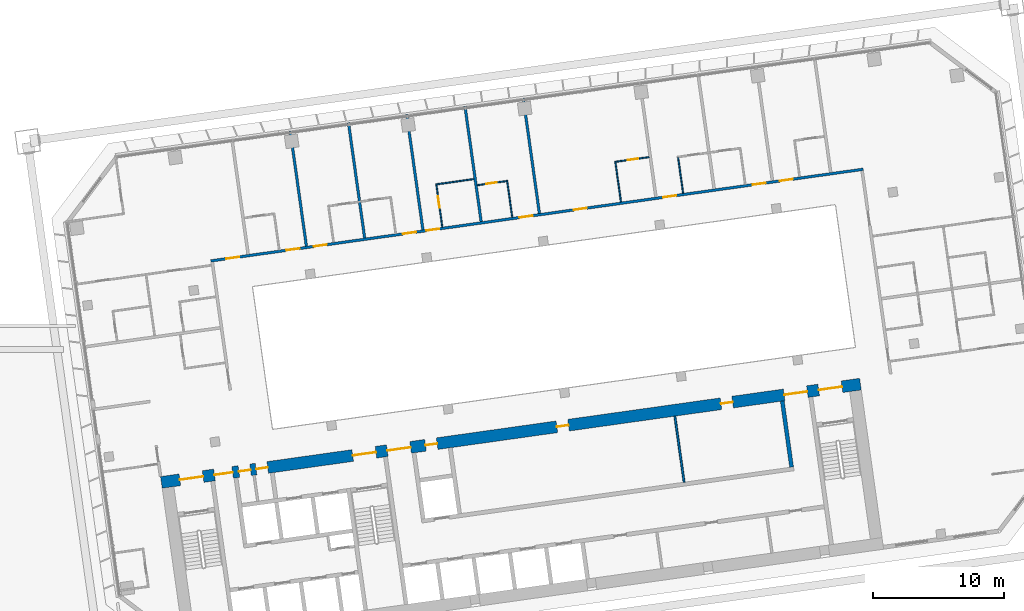
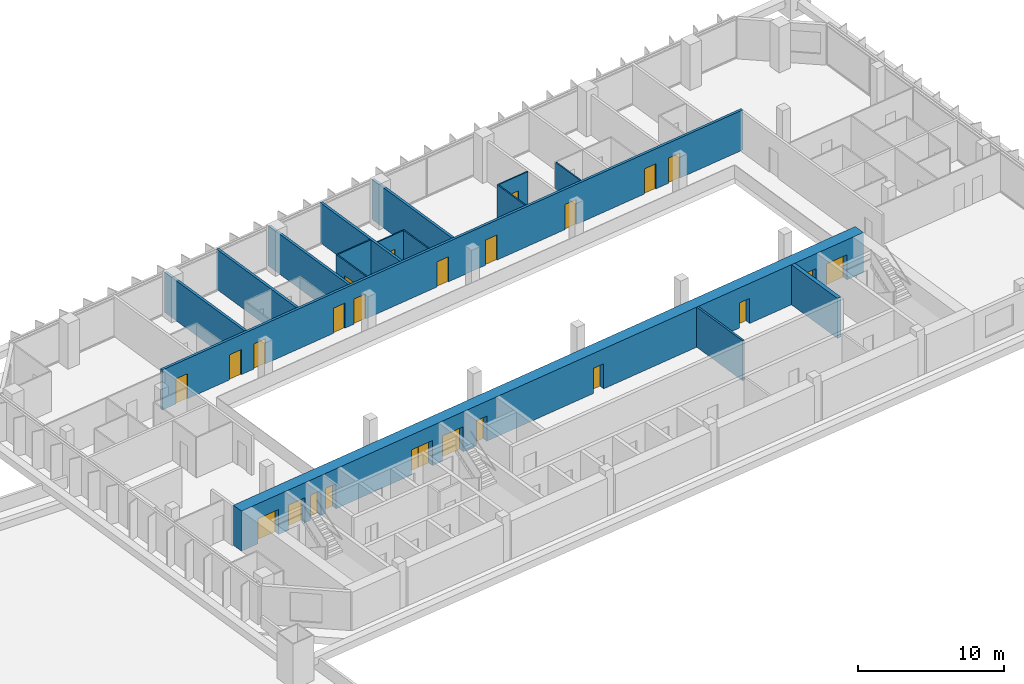
# One storey, part 35 of 46: 24 doors, 16 walls, 24 openings.
"""IFC4 building model written with IfcOpenShell, lengths in metres."""

from ifc_helpers import new_model, si_unit, direction, frame, frame_2d, origin, place, context, subcontext, project, spatial, rectangle, extrude, material, layer, layer_set, type_object, element, fill, save


model = new_model("IFC4")

# Units and contexts
model_context = context("Model", 3, precision=1e-05, world=origin(), true_north=direction((0.0, 1.0)))
body_context = subcontext(model_context, "Body", "Model", "MODEL_VIEW")
ifc_project = project(units=[si_unit("LENGTHUNIT", "METRE"), si_unit("AREAUNIT", "SQUARE_METRE"), si_unit("VOLUMEUNIT", "CUBIC_METRE"), si_unit("PLANEANGLEUNIT", "RADIAN"), si_unit("MASSUNIT", "GRAM", prefix="KILO")], contexts=[model_context])

# Site, building, storey
site_placement = place(None, origin())
site = spatial("IfcSite", under=ifc_project, at=site_placement, CompositionType="ELEMENT")
building_placement = place(site_placement, origin())
building = spatial("IfcBuilding", under=site, at=building_placement, Name="Mirante Cascada Hotel Towers", CompositionType="ELEMENT")
storey_placement = place(building_placement, frame((0.0, 0.0, 39.5)))
storey = spatial("IfcBuildingStorey", under=building, at=storey_placement, Name="L06", CompositionType="ELEMENT", Elevation=39.5)

# Wall, openings, doors
ifc_material_1 = material(Name="Fire-rated plasterboard on metal studs")
ifc_layer_1 = layer(ifc_material_1, 0.2)
ifc_layer_set_1 = layer_set([ifc_layer_1], Name="Compartment wall 200 EI 120")
wall_type_1 = type_object("IfcWallType", Name="Compartment wall 200 EI 120", PredefinedType="PARTITIONING", material=ifc_layer_set_1)
wall_1_placement = place(storey_placement, frame((89.0146, 16.3922, 0.0), z_axis=(0.0, 0.0, 1.0), x_axis=(-0.9902681, -0.1391727, 0.0)))
wall_1 = element("IfcWall", 1, at=wall_1_placement, inside=storey, type_object=wall_type_1, Name="Wall 2-L06-18", PredefinedType="PARTITIONING", context=body_context, shape_type="SweptSolid", body=[
    extrude(rectangle(XDim=50.4, YDim=0.2, at=frame_2d((25.2, 0.0))), origin(), (0.0, 0.0, 1.0), 3.35),
])
opening_1_placement = place(wall_1_placement, frame((48.2, 0.0, 0.0)))
opening_1 = element("IfcOpeningElement", 2, at=opening_1_placement, cuts=wall_1, Name="Opening D2-L06-09", PredefinedType="OPENING", context=body_context, shape_type="SweptSolid", body=[
    extrude(rectangle(XDim=1.0, YDim=2.1, at=frame_2d((0.5, 1.05))), frame((0.0, 0.1, 0.0), z_axis=(0.0, -1.0, 0.0), x_axis=(1.0, 0.0, 0.0)), (0.0, 0.0, 1.0), 0.2),
])
opening_2_placement = place(wall_1_placement, frame((43.55, 0.0, 0.0)))
opening_2 = element("IfcOpeningElement", 3, at=opening_2_placement, cuts=wall_1, Name="Opening D2-L06-10", PredefinedType="OPENING", context=body_context, shape_type="SweptSolid", body=[
    extrude(rectangle(XDim=1.0, YDim=2.1, at=frame_2d((0.5, 1.05))), frame((0.0, 0.1, 0.0), z_axis=(0.0, -1.0, 0.0), x_axis=(1.0, 0.0, 0.0)), (0.0, 0.0, 1.0), 0.2),
])
opening_3_placement = place(wall_1_placement, frame((41.45, 0.0, 0.0)))
opening_3 = element("IfcOpeningElement", 4, at=opening_3_placement, cuts=wall_1, Name="Opening D2-L06-11", PredefinedType="OPENING", context=body_context, shape_type="SweptSolid", body=[
    extrude(rectangle(XDim=1.0, YDim=2.1, at=frame_2d((0.5, 1.05))), frame((0.0, 0.1, 0.0), z_axis=(0.0, -1.0, 0.0), x_axis=(1.0, 0.0, 0.0)), (0.0, 0.0, 1.0), 0.2),
])
opening_4_placement = place(wall_1_placement, frame((34.55, 0.0, 0.0)))
opening_4 = element("IfcOpeningElement", 5, at=opening_4_placement, cuts=wall_1, Name="Opening D2-L06-12", PredefinedType="OPENING", context=body_context, shape_type="SweptSolid", body=[
    extrude(rectangle(XDim=1.0, YDim=2.1, at=frame_2d((0.5, 1.05))), frame((0.0, 0.1, 0.0), z_axis=(0.0, -1.0, 0.0), x_axis=(1.0, 0.0, 0.0)), (0.0, 0.0, 1.0), 0.2),
])
opening_5_placement = place(wall_1_placement, frame((32.75, 0.0, 0.0)))
opening_5 = element("IfcOpeningElement", 6, at=opening_5_placement, cuts=wall_1, Name="Opening D2-L06-13", PredefinedType="OPENING", context=body_context, shape_type="SweptSolid", body=[
    extrude(rectangle(XDim=1.0, YDim=2.1, at=frame_2d((0.5, 1.05))), frame((0.0, 0.1, 0.0), z_axis=(0.0, -1.0, 0.0), x_axis=(1.0, 0.0, 0.0)), (0.0, 0.0, 1.0), 0.2),
])
opening_6_placement = place(wall_1_placement, frame((25.55, 0.0, 0.0)))
opening_6 = element("IfcOpeningElement", 7, at=opening_6_placement, cuts=wall_1, Name="Opening D2-L06-14", PredefinedType="OPENING", context=body_context, shape_type="SweptSolid", body=[
    extrude(rectangle(XDim=1.0, YDim=2.1, at=frame_2d((0.5, 1.05))), frame((0.0, 0.1, 0.0), z_axis=(0.0, -1.0, 0.0), x_axis=(1.0, 0.0, 0.0)), (0.0, 0.0, 1.0), 0.2),
])
opening_7_placement = place(wall_1_placement, frame((21.35, 0.0, 0.0)))
opening_7 = element("IfcOpeningElement", 8, at=opening_7_placement, cuts=wall_1, Name="Opening D2-L06-15", PredefinedType="OPENING", context=body_context, shape_type="SweptSolid", body=[
    extrude(rectangle(XDim=1.0, YDim=2.1, at=frame_2d((0.5, 1.05))), frame((0.0, 0.1, 0.0), z_axis=(0.0, -1.0, 0.0), x_axis=(1.0, 0.0, 0.0)), (0.0, 0.0, 1.0), 0.2),
])
opening_8_placement = place(wall_1_placement, frame((14.45, 0.0, 0.0)))
opening_8 = element("IfcOpeningElement", 9, at=opening_8_placement, cuts=wall_1, Name="Opening D2-L06-16", PredefinedType="OPENING", context=body_context, shape_type="SweptSolid", body=[
    extrude(rectangle(XDim=1.0, YDim=2.1, at=frame_2d((0.5, 1.05))), frame((0.0, 0.1, 0.0), z_axis=(0.0, -1.0, 0.0), x_axis=(1.0, 0.0, 0.0)), (0.0, 0.0, 1.0), 0.2),
])
opening_9_placement = place(wall_1_placement, frame((7.55, 0.0, 0.0)))
opening_9 = element("IfcOpeningElement", 10, at=opening_9_placement, cuts=wall_1, Name="Opening D2-L06-17", PredefinedType="OPENING", context=body_context, shape_type="SweptSolid", body=[
    extrude(rectangle(XDim=1.0, YDim=2.1, at=frame_2d((0.5, 1.05))), frame((0.0, 0.1, 0.0), z_axis=(0.0, -1.0, 0.0), x_axis=(1.0, 0.0, 0.0)), (0.0, 0.0, 1.0), 0.2),
])
opening_10_placement = place(wall_1_placement, frame((5.45, 0.0, 0.0)))
opening_10 = element("IfcOpeningElement", 11, at=opening_10_placement, cuts=wall_1, Name="Opening D2-L06-18", PredefinedType="OPENING", context=body_context, shape_type="SweptSolid", body=[
    extrude(rectangle(XDim=1.0, YDim=2.1, at=frame_2d((0.5, 1.05))), frame((0.0, 0.1, 0.0), z_axis=(0.0, -1.0, 0.0), x_axis=(1.0, 0.0, 0.0)), (0.0, 0.0, 1.0), 0.2),
])
ifc_material_2 = material(Name="Fire-rated timber door leaf", Category="wood")
door_type_1 = type_object("IfcDoorType", Name="Entrance door DG1 1000x2100 EI 60", OperationType="SINGLE_SWING_LEFT", PredefinedType="DOOR", material=ifc_material_2)
door_1_placement = place(opening_1_placement, frame((1.0, 0.0, 0.0), z_axis=(0.0, 0.0, 1.0), x_axis=(-1.0, 0.0, 0.0)))
door_1 = element("IfcDoor", 12, at=door_1_placement, inside=storey, type_object=door_type_1, Name="Door D2-L06-09", OperationType="SINGLE_SWING_RIGHT", OverallHeight=2.1, OverallWidth=1.0, PredefinedType="DOOR", context=body_context, shape_type="SweptSolid", body=[
    extrude(rectangle(XDim=1.0, YDim=2.1, at=frame_2d((0.5, 1.05))), frame((0.0, 0.025, 0.0), z_axis=(0.0, -1.0, 0.0), x_axis=(1.0, 0.0, 0.0)), (0.0, 0.0, 1.0), 0.05),
])
fill(opening_1, door_1)
door_2_placement = place(opening_2_placement, frame((1.0, 0.0, 0.0), z_axis=(0.0, 0.0, 1.0), x_axis=(-1.0, 0.0, 0.0)))
door_2 = element("IfcDoor", 13, at=door_2_placement, inside=storey, type_object=door_type_1, Name="Door D2-L06-10", OperationType="SINGLE_SWING_RIGHT", OverallHeight=2.1, OverallWidth=1.0, PredefinedType="DOOR", context=body_context, shape_type="SweptSolid", body=[
    extrude(rectangle(XDim=1.0, YDim=2.1, at=frame_2d((0.5, 1.05))), frame((0.0, 0.025, 0.0), z_axis=(0.0, -1.0, 0.0), x_axis=(1.0, 0.0, 0.0)), (0.0, 0.0, 1.0), 0.05),
])
fill(opening_2, door_2)
door_3_placement = place(opening_3_placement, frame((1.0, 0.0, 0.0), z_axis=(0.0, 0.0, 1.0), x_axis=(-1.0, 0.0, 0.0)))
door_3 = element("IfcDoor", 14, at=door_3_placement, inside=storey, type_object=door_type_1, Name="Door D2-L06-11", OperationType="SINGLE_SWING_RIGHT", OverallHeight=2.1, OverallWidth=1.0, PredefinedType="DOOR", context=body_context, shape_type="SweptSolid", body=[
    extrude(rectangle(XDim=1.0, YDim=2.1, at=frame_2d((0.5, 1.05))), frame((0.0, 0.025, 0.0), z_axis=(0.0, -1.0, 0.0), x_axis=(1.0, 0.0, 0.0)), (0.0, 0.0, 1.0), 0.05),
])
fill(opening_3, door_3)
door_4_placement = place(opening_4_placement, frame((1.0, 0.0, 0.0), z_axis=(0.0, 0.0, 1.0), x_axis=(-1.0, 0.0, 0.0)))
door_4 = element("IfcDoor", 15, at=door_4_placement, inside=storey, type_object=door_type_1, Name="Door D2-L06-12", OperationType="SINGLE_SWING_RIGHT", OverallHeight=2.1, OverallWidth=1.0, PredefinedType="DOOR", context=body_context, shape_type="SweptSolid", body=[
    extrude(rectangle(XDim=1.0, YDim=2.1, at=frame_2d((0.5, 1.05))), frame((0.0, 0.025, 0.0), z_axis=(0.0, -1.0, 0.0), x_axis=(1.0, 0.0, 0.0)), (0.0, 0.0, 1.0), 0.05),
])
fill(opening_4, door_4)
door_5_placement = place(opening_5_placement, frame((1.0, 0.0, 0.0), z_axis=(0.0, 0.0, 1.0), x_axis=(-1.0, 0.0, 0.0)))
door_5 = element("IfcDoor", 16, at=door_5_placement, inside=storey, type_object=door_type_1, Name="Door D2-L06-13", OperationType="SINGLE_SWING_RIGHT", OverallHeight=2.1, OverallWidth=1.0, PredefinedType="DOOR", context=body_context, shape_type="SweptSolid", body=[
    extrude(rectangle(XDim=1.0, YDim=2.1, at=frame_2d((0.5, 1.05))), frame((0.0, 0.025, 0.0), z_axis=(0.0, -1.0, 0.0), x_axis=(1.0, 0.0, 0.0)), (0.0, 0.0, 1.0), 0.05),
])
fill(opening_5, door_5)
door_6_placement = place(opening_6_placement, frame((1.0, 0.0, 0.0), z_axis=(0.0, 0.0, 1.0), x_axis=(-1.0, 0.0, 0.0)))
door_6 = element("IfcDoor", 17, at=door_6_placement, inside=storey, type_object=door_type_1, Name="Door D2-L06-14", OperationType="SINGLE_SWING_RIGHT", OverallHeight=2.1, OverallWidth=1.0, PredefinedType="DOOR", context=body_context, shape_type="SweptSolid", body=[
    extrude(rectangle(XDim=1.0, YDim=2.1, at=frame_2d((0.5, 1.05))), frame((0.0, 0.025, 0.0), z_axis=(0.0, -1.0, 0.0), x_axis=(1.0, 0.0, 0.0)), (0.0, 0.0, 1.0), 0.05),
])
fill(opening_6, door_6)
door_7_placement = place(opening_7_placement, frame((1.0, 0.0, 0.0), z_axis=(0.0, 0.0, 1.0), x_axis=(-1.0, 0.0, 0.0)))
door_7 = element("IfcDoor", 18, at=door_7_placement, inside=storey, type_object=door_type_1, Name="Door D2-L06-15", OperationType="SINGLE_SWING_RIGHT", OverallHeight=2.1, OverallWidth=1.0, PredefinedType="DOOR", context=body_context, shape_type="SweptSolid", body=[
    extrude(rectangle(XDim=1.0, YDim=2.1, at=frame_2d((0.5, 1.05))), frame((0.0, 0.025, 0.0), z_axis=(0.0, -1.0, 0.0), x_axis=(1.0, 0.0, 0.0)), (0.0, 0.0, 1.0), 0.05),
])
fill(opening_7, door_7)
door_8_placement = place(opening_8_placement, frame((1.0, 0.0, 0.0), z_axis=(0.0, 0.0, 1.0), x_axis=(-1.0, 0.0, 0.0)))
door_8 = element("IfcDoor", 19, at=door_8_placement, inside=storey, type_object=door_type_1, Name="Door D2-L06-16", OperationType="SINGLE_SWING_RIGHT", OverallHeight=2.1, OverallWidth=1.0, PredefinedType="DOOR", context=body_context, shape_type="SweptSolid", body=[
    extrude(rectangle(XDim=1.0, YDim=2.1, at=frame_2d((0.5, 1.05))), frame((0.0, 0.025, 0.0), z_axis=(0.0, -1.0, 0.0), x_axis=(1.0, 0.0, 0.0)), (0.0, 0.0, 1.0), 0.05),
])
fill(opening_8, door_8)
door_9_placement = place(opening_9_placement, frame((1.0, 0.0, 0.0), z_axis=(0.0, 0.0, 1.0), x_axis=(-1.0, 0.0, 0.0)))
door_9 = element("IfcDoor", 20, at=door_9_placement, inside=storey, type_object=door_type_1, Name="Door D2-L06-17", OperationType="SINGLE_SWING_RIGHT", OverallHeight=2.1, OverallWidth=1.0, PredefinedType="DOOR", context=body_context, shape_type="SweptSolid", body=[
    extrude(rectangle(XDim=1.0, YDim=2.1, at=frame_2d((0.5, 1.05))), frame((0.0, 0.025, 0.0), z_axis=(0.0, -1.0, 0.0), x_axis=(1.0, 0.0, 0.0)), (0.0, 0.0, 1.0), 0.05),
])
fill(opening_9, door_9)
door_10_placement = place(opening_10_placement, frame((1.0, 0.0, 0.0), z_axis=(0.0, 0.0, 1.0), x_axis=(-1.0, 0.0, 0.0)))
door_10 = element("IfcDoor", 21, at=door_10_placement, inside=storey, type_object=door_type_1, Name="Door D2-L06-18", OperationType="SINGLE_SWING_RIGHT", OverallHeight=2.1, OverallWidth=1.0, PredefinedType="DOOR", context=body_context, shape_type="SweptSolid", body=[
    extrude(rectangle(XDim=1.0, YDim=2.1, at=frame_2d((0.5, 1.05))), frame((0.0, 0.025, 0.0), z_axis=(0.0, -1.0, 0.0), x_axis=(1.0, 0.0, 0.0)), (0.0, 0.0, 1.0), 0.05),
])
fill(opening_10, door_10)

# Walls
for number, where, z_axis, x_axis, name in (
    (22, (46.4192, 10.5068, 0.0), (0.0, 0.0, 1.0), (-0.1391794, 0.9902672, 0.0), "Wall 2-L06-37"),
    (23, (50.8754, 11.1331, 0.0), (0.0, 0.0, 1.0), (-0.1391794, 0.9902672, 0.0), "Wall 2-L06-39"),
    (24, (55.3316, 11.7594, 0.0), (0.0, 0.0, 1.0), (-0.1391794, 0.9902672, 0.0), "Wall 2-L06-41"),
):
    element("IfcWall", number, at=place(storey_placement, frame(where, z_axis=z_axis, x_axis=x_axis)), inside=storey, type_object=wall_type_1, Name=name, PredefinedType="PARTITIONING", context=body_context, shape_type="SweptSolid", body=[
        extrude(rectangle(XDim=8.9, YDim=0.2, at=frame_2d((4.45, 0.0))), origin(), (0.0, 0.0, 1.0), 3.35),
    ])
wall_2_placement = place(storey_placement, frame((59.7878, 12.3857, 0.0), z_axis=(0.0, 0.0, 1.0), x_axis=(-0.13917, 0.9902685, 0.0)))
element("IfcWall", 25, at=wall_2_placement, inside=storey, type_object=wall_type_1, Name="Wall 2-L06-43", PredefinedType="PARTITIONING", context=body_context, shape_type="SweptSolid", body=[
    extrude(rectangle(XDim=8.8999, YDim=0.2, at=frame_2d((4.45, 0.0))), origin(), (0.0, 0.0, 1.0), 3.35),
])
wall_3_placement = place(storey_placement, frame((64.244, 13.0119, 0.0), z_axis=(0.0, 0.0, 1.0), x_axis=(-0.1391684, 0.9902687, 0.0)))
element("IfcWall", 26, at=wall_3_placement, inside=storey, type_object=wall_type_1, Name="Wall 2-L06-45", PredefinedType="PARTITIONING", context=body_context, shape_type="SweptSolid", body=[
    extrude(rectangle(XDim=8.9, YDim=0.2, at=frame_2d((4.45, 0.0))), origin(), (0.0, 0.0, 1.0), 3.35),
])
ifc_material_3 = material(Name="Masonry block", Category="masonry")
ifc_layer_2 = layer(ifc_material_3, 0.15)
ifc_layer_set_2 = layer_set([ifc_layer_2], Name="Core room partition 150 block EI 30")
wall_type_2 = type_object("IfcWallType", Name="Core room partition 150 block EI 30", PredefinedType="PARTITIONING", material=ifc_layer_set_2)
wall_4_placement = place(storey_placement, frame((75.3131, -7.5476, 0.0), z_axis=(0.0, 0.0, 1.0), x_axis=(-0.1391782, 0.9902673, 0.0)))
element("IfcWall", 27, at=wall_4_placement, inside=storey, type_object=wall_type_2, Name="Core wall partition T2 L06 7", PredefinedType="PARTITIONING", context=body_context, shape_type="SweptSolid", body=[
    extrude(rectangle(XDim=5.0999, YDim=0.15, at=frame_2d((2.55, 0.0))), origin(), (0.0, 0.0, 1.0), 3.35),
])

# Wall, opening, door
ifc_material_4 = material(Name="Plasterboard on metal studs")
ifc_layer_3 = layer(ifc_material_4, 0.1)
ifc_layer_set_3 = layer_set([ifc_layer_3], Name="Partition 100")
wall_type_3 = type_object("IfcWallType", Name="Partition 100", PredefinedType="PARTITIONING", material=ifc_layer_set_3)
wall_5_placement = place(storey_placement, frame((59.4971, 15.1723, 0.0), z_axis=(0.0, 0.0, 1.0), x_axis=(0.9902643, 0.1391997, 0.0)))
wall_5 = element("IfcWall", 28, at=wall_5_placement, inside=storey, type_object=wall_type_3, Name="Wall 2-L06-21", PredefinedType="PARTITIONING", context=body_context, shape_type="SweptSolid", body=[
    extrude(rectangle(XDim=2.25, YDim=0.1, at=frame_2d((1.125, 0.0))), origin(), (0.0, 0.0, 1.0), 3.35),
])
opening_11_placement = place(wall_5_placement, frame((0.7, 0.0, 0.0)))
opening_11 = element("IfcOpeningElement", 29, at=opening_11_placement, cuts=wall_5, Name="Opening D2-L06-22", PredefinedType="OPENING", context=body_context, shape_type="SweptSolid", body=[
    extrude(rectangle(XDim=0.8, YDim=2.1, at=frame_2d((0.4, 1.05))), frame((0.0, 0.05, 0.0), z_axis=(0.0, -1.0, 0.0), x_axis=(1.0, 0.0, 0.0)), (0.0, 0.0, 1.0), 0.1),
])
ifc_material_5 = material(Name="Timber door leaf", Category="wood")
door_type_2 = type_object("IfcDoorType", Name="Bathroom door DG4 800x2100", OperationType="SINGLE_SWING_LEFT", PredefinedType="DOOR", material=ifc_material_5)
door_11_placement = place(opening_11_placement, origin())
door_11 = element("IfcDoor", 30, at=door_11_placement, inside=storey, type_object=door_type_2, Name="Door D2-L06-22", OperationType="SINGLE_SWING_LEFT", OverallHeight=2.1, OverallWidth=0.8, PredefinedType="DOOR", context=body_context, shape_type="SweptSolid", body=[
    extrude(rectangle(XDim=0.8, YDim=2.1, at=frame_2d((0.4, 1.05))), frame((0.0, 0.025, 0.0), z_axis=(0.0, -1.0, 0.0), x_axis=(1.0, 0.0, 0.0)), (0.0, 0.0, 1.0), 0.05),
])
fill(opening_11, door_11)

wall_6_placement = place(storey_placement, frame((72.626, 17.3204, 0.0), z_axis=(0.0, 0.0, 1.0), x_axis=(-0.9902677, -0.1391755, 0.0)))
wall_6 = element("IfcWall", 31, at=wall_6_placement, inside=storey, type_object=wall_type_3, Name="Wall 2-L06-24", PredefinedType="PARTITIONING", context=body_context, shape_type="SweptSolid", body=[
    extrude(rectangle(XDim=2.55, YDim=0.1, at=frame_2d((1.275, 0.0))), origin(), (0.0, 0.0, 1.0), 3.35),
])
opening_12_placement = place(wall_6_placement, frame((0.85, 0.0, 0.0)))
opening_12 = element("IfcOpeningElement", 32, at=opening_12_placement, cuts=wall_6, Name="Opening D2-L06-26", PredefinedType="OPENING", context=body_context, shape_type="SweptSolid", body=[
    extrude(rectangle(XDim=0.8, YDim=2.1, at=frame_2d((0.4, 1.05))), frame((0.0, 0.05, 0.0), z_axis=(0.0, -1.0, 0.0), x_axis=(1.0, 0.0, 0.0)), (0.0, 0.0, 1.0), 0.1),
])
door_12_placement = place(opening_12_placement, frame((0.8, 0.0, 0.0), z_axis=(0.0, 0.0, 1.0), x_axis=(-1.0, 0.0, 0.0)))
door_12 = element("IfcDoor", 33, at=door_12_placement, inside=storey, type_object=door_type_2, Name="Door D2-L06-26", OperationType="SINGLE_SWING_RIGHT", OverallHeight=2.1, OverallWidth=0.8, PredefinedType="DOOR", context=body_context, shape_type="SweptSolid", body=[
    extrude(rectangle(XDim=0.8, YDim=2.1, at=frame_2d((0.4, 1.05))), frame((0.0, 0.025, 0.0), z_axis=(0.0, -1.0, 0.0), x_axis=(1.0, 0.0, 0.0)), (0.0, 0.0, 1.0), 0.05),
])
fill(opening_12, door_12)

# Wall
wall_7_placement = place(storey_placement, frame((56.4072, 15.243, 0.0), z_axis=(0.0, 0.0, 1.0), x_axis=(0.9902704, 0.1391564, 0.0)))
element("IfcWall", 34, at=wall_7_placement, inside=storey, type_object=wall_type_3, Name="Wall 2-L06-25", PredefinedType="PARTITIONING", context=body_context, shape_type="SweptSolid", body=[
    extrude(rectangle(XDim=2.85, YDim=0.1, at=frame_2d((1.425, 0.0))), origin(), (0.0, 0.0, 1.0), 3.35),
])

# Wall, opening, door
wall_8_placement = place(storey_placement, frame((56.3508, 15.2855, 0.0), z_axis=(0.0, 0.0, 1.0), x_axis=(0.1391643, -0.9902693, 0.0)))
wall_8 = element("IfcWall", 35, at=wall_8_placement, inside=storey, type_object=wall_type_3, Name="Wall 2-L06-42", PredefinedType="PARTITIONING", context=body_context, shape_type="SweptSolid", body=[
    extrude(rectangle(XDim=3.35, YDim=0.1, at=frame_2d((1.675, 0.0))), origin(), (0.0, 0.0, 1.0), 3.35),
])
opening_13_placement = place(wall_8_placement, frame((0.96, 0.0, 0.0)))
opening_13 = element("IfcOpeningElement", 36, at=opening_13_placement, cuts=wall_8, Name="Opening D2-L06-34", PredefinedType="OPENING", context=body_context, shape_type="SweptSolid", body=[
    extrude(rectangle(XDim=0.9, YDim=2.1, at=frame_2d((0.45, 1.05))), frame((0.0, 0.05, 0.0), z_axis=(0.0, -1.0, 0.0), x_axis=(1.0, 0.0, 0.0)), (0.0, 0.0, 1.0), 0.1),
])
ifc_material_6 = material(Name="Timber door leaf", Category="wood")
door_type_3 = type_object("IfcDoorType", Name="Room door DG3 900x2100", OperationType="SINGLE_SWING_LEFT", PredefinedType="DOOR", material=ifc_material_6)
door_13_placement = place(opening_13_placement, origin())
door_13 = element("IfcDoor", 37, at=door_13_placement, inside=storey, type_object=door_type_3, Name="Door D2-L06-34", OperationType="SINGLE_SWING_LEFT", OverallHeight=2.1, OverallWidth=0.9, PredefinedType="DOOR", context=body_context, shape_type="SweptSolid", body=[
    extrude(rectangle(XDim=0.9, YDim=2.1, at=frame_2d((0.45, 1.05))), frame((0.0, 0.025, 0.0), z_axis=(0.0, -1.0, 0.0), x_axis=(1.0, 0.0, 0.0)), (0.0, 0.0, 1.0), 0.05),
])
fill(opening_13, door_13)

# Walls
wall_9_placement = place(storey_placement, frame((61.7678, 15.5419, 0.0), z_axis=(0.0, 0.0, 1.0), x_axis=(0.1391613, -0.9902697, 0.0)))
element("IfcWall", 38, at=wall_9_placement, inside=storey, type_object=wall_type_3, Name="Wall 2-L06-44", PredefinedType="PARTITIONING", context=body_context, shape_type="SweptSolid", body=[
    extrude(rectangle(XDim=2.8499, YDim=0.1, at=frame_2d((1.425, 0.0))), origin(), (0.0, 0.0, 1.0), 3.35),
])
wall_10_placement = place(storey_placement, frame((70.0443, 17.0081, 0.0), z_axis=(0.0, 0.0, 1.0), x_axis=(0.1391721, -0.9902682, 0.0)))
element("IfcWall", 39, at=wall_10_placement, inside=storey, type_object=wall_type_3, Name="Wall 2-L06-46", PredefinedType="PARTITIONING", context=body_context, shape_type="SweptSolid", body=[
    extrude(rectangle(XDim=3.1501, YDim=0.1, at=frame_2d((1.575, 0.0))), origin(), (0.0, 0.0, 1.0), 3.35),
])
wall_11_placement = place(storey_placement, frame((74.8533, 17.28, 0.0), z_axis=(0.0, 0.0, 1.0), x_axis=(0.1391657, -0.9902691, 0.0)))
element("IfcWall", 40, at=wall_11_placement, inside=storey, type_object=wall_type_3, Name="Wall 2-L06-48", PredefinedType="PARTITIONING", context=body_context, shape_type="SweptSolid", body=[
    extrude(rectangle(XDim=2.75, YDim=0.1, at=frame_2d((1.375, 0.0))), origin(), (0.0, 0.0, 1.0), 3.35),
])
ifc_material_7 = material(Name="Concrete C50/60", Category="concrete")
ifc_layer_4 = layer(ifc_material_7, 0.3)
ifc_layer_set_4 = layer_set([ifc_layer_4], Name="RC core wall 300 C50/60")
wall_type_4 = type_object("IfcWallType", Name="RC core wall 300 C50/60", PredefinedType="SHEAR", material=ifc_layer_set_4)
wall_12_placement = place(storey_placement, frame((83.5323, -6.3925, 0.0), z_axis=(0.0, 0.0, 1.0), x_axis=(-0.1391755, 0.9902677, 0.0)))
element("IfcWall", 41, at=wall_12_placement, inside=storey, type_object=wall_type_4, Name="Core wall T2:L06:35", PredefinedType="SHEAR", context=body_context, shape_type="SweptSolid", body=[
    extrude(rectangle(XDim=5.1, YDim=0.3, at=frame_2d((2.55, 0.0))), origin(), (0.0, 0.0, 1.0), 3.35),
])

# Wall, openings, doors
ifc_material_8 = material(Name="Concrete C50/60", Category="concrete")
ifc_layer_5 = layer(ifc_material_8, 0.9)
ifc_layer_set_5 = layer_set([ifc_layer_5], Name="RC core wall 900 C50/60")
wall_type_5 = type_object("IfcWallType", Name="RC core wall 900 C50/60", PredefinedType="SHEAR", material=ifc_layer_set_5)
wall_13_placement = place(storey_placement, frame((35.326, -7.5629, 0.0), z_axis=(0.0, 0.0, 1.0), x_axis=(0.9902679, 0.139174, 0.0)))
wall_13 = element("IfcWall", 42, at=wall_13_placement, inside=storey, type_object=wall_type_5, Name="Core wall T2:L06:2", PredefinedType="SHEAR", context=body_context, shape_type="SweptSolid", body=[
    extrude(rectangle(XDim=54.0, YDim=0.9, at=frame_2d((27.0, 0.0))), origin(), (0.0, 0.0, 1.0), 3.35),
])
opening_14_placement = place(wall_13_placement, frame((1.425, 0.0, 0.0)))
opening_14 = element("IfcOpeningElement", 43, at=opening_14_placement, cuts=wall_13, Name="Opening D2-06-C14", PredefinedType="OPENING", context=body_context, shape_type="SweptSolid", body=[
    extrude(rectangle(XDim=1.8, YDim=2.1, at=frame_2d((0.9, 1.05))), frame((0.0, 0.45, 0.0), z_axis=(0.0, -1.0, 0.0), x_axis=(1.0, 0.0, 0.0)), (0.0, 0.0, 1.0), 0.9),
])
opening_15_placement = place(wall_13_placement, frame((14.775, 0.0, 0.0)))
opening_15 = element("IfcOpeningElement", 44, at=opening_15_placement, cuts=wall_13, Name="Opening D2-06-C16", PredefinedType="OPENING", context=body_context, shape_type="SweptSolid", body=[
    extrude(rectangle(XDim=1.8, YDim=2.1, at=frame_2d((0.9, 1.05))), frame((0.0, 0.45, 0.0), z_axis=(0.0, -1.0, 0.0), x_axis=(1.0, 0.0, 0.0)), (0.0, 0.0, 1.0), 0.9),
])
opening_16_placement = place(wall_13_placement, frame((50.775, 0.0, 0.0)))
opening_16 = element("IfcOpeningElement", 45, at=opening_16_placement, cuts=wall_13, Name="Opening D2-06-C18", PredefinedType="OPENING", context=body_context, shape_type="SweptSolid", body=[
    extrude(rectangle(XDim=1.8, YDim=2.1, at=frame_2d((0.9, 1.05))), frame((0.0, 0.45, 0.0), z_axis=(0.0, -1.0, 0.0), x_axis=(1.0, 0.0, 0.0)), (0.0, 0.0, 1.0), 0.9),
])
opening_17_placement = place(wall_13_placement, frame((4.1, 0.0, 0.0)))
opening_17 = element("IfcOpeningElement", 46, at=opening_17_placement, cuts=wall_13, Name="Opening D2-06-C19", PredefinedType="OPENING", context=body_context, shape_type="SweptSolid", body=[
    extrude(rectangle(XDim=1.4, YDim=2.1, at=frame_2d((0.7, 1.05))), frame((0.0, 0.45, 0.0), z_axis=(0.0, -1.0, 0.0), x_axis=(1.0, 0.0, 0.0)), (0.0, 0.0, 1.0), 0.9),
])
opening_18_placement = place(wall_13_placement, frame((17.45, 0.0, 0.0)))
opening_18 = element("IfcOpeningElement", 47, at=opening_18_placement, cuts=wall_13, Name="Opening D2-06-C20", PredefinedType="OPENING", context=body_context, shape_type="SweptSolid", body=[
    extrude(rectangle(XDim=1.8, YDim=2.1, at=frame_2d((0.9, 1.05))), frame((0.0, 0.45, 0.0), z_axis=(0.0, -1.0, 0.0), x_axis=(1.0, 0.0, 0.0)), (0.0, 0.0, 1.0), 0.9),
])
opening_19_placement = place(wall_13_placement, frame((48.1, 0.0, 0.0)))
opening_19 = element("IfcOpeningElement", 48, at=opening_19_placement, cuts=wall_13, Name="Opening D2-06-C21", PredefinedType="OPENING", context=body_context, shape_type="SweptSolid", body=[
    extrude(rectangle(XDim=1.8, YDim=2.1, at=frame_2d((0.9, 1.05))), frame((0.0, 0.45, 0.0), z_axis=(0.0, -1.0, 0.0), x_axis=(1.0, 0.0, 0.0)), (0.0, 0.0, 1.0), 0.9),
])
opening_20_placement = place(wall_13_placement, frame((5.9875, 0.0, 0.0)))
opening_20 = element("IfcOpeningElement", 49, at=opening_20_placement, cuts=wall_13, Name="Opening D2-06-C24", PredefinedType="OPENING", context=body_context, shape_type="SweptSolid", body=[
    extrude(rectangle(XDim=0.9, YDim=2.1, at=frame_2d((0.45, 1.05))), frame((0.0, 0.45, 0.0), z_axis=(0.0, -1.0, 0.0), x_axis=(1.0, 0.0, 0.0)), (0.0, 0.0, 1.0), 0.9),
])
opening_21_placement = place(wall_13_placement, frame((7.3125, 0.0, 0.0)))
opening_21 = element("IfcOpeningElement", 50, at=opening_21_placement, cuts=wall_13, Name="Opening D2-06-C25", PredefinedType="OPENING", context=body_context, shape_type="SweptSolid", body=[
    extrude(rectangle(XDim=0.9, YDim=2.1, at=frame_2d((0.45, 1.05))), frame((0.0, 0.45, 0.0), z_axis=(0.0, -1.0, 0.0), x_axis=(1.0, 0.0, 0.0)), (0.0, 0.0, 1.0), 0.9),
])
opening_22_placement = place(wall_13_placement, frame((20.4, 0.0, 0.0)))
opening_22 = element("IfcOpeningElement", 51, at=opening_22_placement, cuts=wall_13, Name="Opening D2-06-C29", PredefinedType="OPENING", context=body_context, shape_type="SweptSolid", body=[
    extrude(rectangle(XDim=0.9, YDim=2.1, at=frame_2d((0.45, 1.05))), frame((0.0, 0.45, 0.0), z_axis=(0.0, -1.0, 0.0), x_axis=(1.0, 0.0, 0.0)), (0.0, 0.0, 1.0), 0.9),
])
opening_23_placement = place(wall_13_placement, frame((30.55, 0.0, 0.0)))
opening_23 = element("IfcOpeningElement", 52, at=opening_23_placement, cuts=wall_13, Name="Opening D2-06-C30", PredefinedType="OPENING", context=body_context, shape_type="SweptSolid", body=[
    extrude(rectangle(XDim=0.9, YDim=2.1, at=frame_2d((0.45, 1.05))), frame((0.0, 0.45, 0.0), z_axis=(0.0, -1.0, 0.0), x_axis=(1.0, 0.0, 0.0)), (0.0, 0.0, 1.0), 0.9),
])
opening_24_placement = place(wall_13_placement, frame((43.225, 0.0, 0.0)))
opening_24 = element("IfcOpeningElement", 53, at=opening_24_placement, cuts=wall_13, Name="Opening D2-06-C31", PredefinedType="OPENING", context=body_context, shape_type="SweptSolid", body=[
    extrude(rectangle(XDim=0.9, YDim=2.1, at=frame_2d((0.45, 1.05))), frame((0.0, 0.45, 0.0), z_axis=(0.0, -1.0, 0.0), x_axis=(1.0, 0.0, 0.0)), (0.0, 0.0, 1.0), 0.9),
])
ifc_material_9 = material(Name="Hollow metal fire door leaf")
door_type_4 = type_object("IfcDoorType", Name="Double fire door 1400x2100 FD60", OperationType="DOUBLE_DOOR_SINGLE_SWING", PredefinedType="DOOR", material=ifc_material_9)
door_14_placement = place(opening_17_placement, origin())
door_14 = element("IfcDoor", 54, at=door_14_placement, inside=storey, type_object=door_type_4, Name="Exit door to gallery T2 L06 19", OperationType="DOUBLE_DOOR_SINGLE_SWING", OverallHeight=2.1, OverallWidth=1.4, PredefinedType="DOOR", context=body_context, shape_type="SweptSolid", body=[
    extrude(rectangle(XDim=0.695, YDim=2.1, at=frame_2d((0.3475, 1.05))), frame((0.0, 0.025, 0.0), z_axis=(0.0, -1.0, 0.0), x_axis=(1.0, 0.0, 0.0)), (0.0, 0.0, 1.0), 0.05),
    extrude(rectangle(XDim=0.695, YDim=2.1, at=frame_2d((1.0525, 1.05))), frame((0.0, 0.025, 0.0), z_axis=(0.0, -1.0, 0.0), x_axis=(1.0, 0.0, 0.0)), (0.0, 0.0, 1.0), 0.05),
])
fill(opening_17, door_14)
ifc_material_10 = material(Name="Hollow metal fire door leaf")
door_type_5 = type_object("IfcDoorType", Name="Double fire door 1800x2100 FD60", OperationType="DOUBLE_DOOR_SINGLE_SWING", PredefinedType="DOOR", material=ifc_material_10)
door_15_placement = place(opening_14_placement, frame((1.8, 0.0, 0.0), z_axis=(0.0, 0.0, 1.0), x_axis=(-1.0, 0.0, 0.0)))
door_15 = element("IfcDoor", 55, at=door_15_placement, inside=storey, type_object=door_type_5, Name="Exit door to gallery T2 L06 14", OperationType="DOUBLE_DOOR_SINGLE_SWING", OverallHeight=2.1, OverallWidth=1.8, PredefinedType="DOOR", context=body_context, shape_type="SweptSolid", body=[
    extrude(rectangle(XDim=0.895, YDim=2.1, at=frame_2d((0.4475, 1.05))), frame((0.0, 0.025, 0.0), z_axis=(0.0, -1.0, 0.0), x_axis=(1.0, 0.0, 0.0)), (0.0, 0.0, 1.0), 0.05),
    extrude(rectangle(XDim=0.895, YDim=2.1, at=frame_2d((1.3525, 1.05))), frame((0.0, 0.025, 0.0), z_axis=(0.0, -1.0, 0.0), x_axis=(1.0, 0.0, 0.0)), (0.0, 0.0, 1.0), 0.05),
])
fill(opening_14, door_15)
door_16_placement = place(opening_15_placement, frame((1.8, 0.0, 0.0), z_axis=(0.0, 0.0, 1.0), x_axis=(-1.0, 0.0, 0.0)))
door_16 = element("IfcDoor", 56, at=door_16_placement, inside=storey, type_object=door_type_5, Name="Exit door to gallery T2 L06 16", OperationType="DOUBLE_DOOR_SINGLE_SWING", OverallHeight=2.1, OverallWidth=1.8, PredefinedType="DOOR", context=body_context, shape_type="SweptSolid", body=[
    extrude(rectangle(XDim=0.895, YDim=2.1, at=frame_2d((0.4475, 1.05))), frame((0.0, 0.025, 0.0), z_axis=(0.0, -1.0, 0.0), x_axis=(1.0, 0.0, 0.0)), (0.0, 0.0, 1.0), 0.05),
    extrude(rectangle(XDim=0.895, YDim=2.1, at=frame_2d((1.3525, 1.05))), frame((0.0, 0.025, 0.0), z_axis=(0.0, -1.0, 0.0), x_axis=(1.0, 0.0, 0.0)), (0.0, 0.0, 1.0), 0.05),
])
fill(opening_15, door_16)
door_17_placement = place(opening_16_placement, frame((1.8, 0.0, 0.0), z_axis=(0.0, 0.0, 1.0), x_axis=(-1.0, 0.0, 0.0)))
door_17 = element("IfcDoor", 57, at=door_17_placement, inside=storey, type_object=door_type_5, Name="Exit door to gallery T2 L06 18", OperationType="DOUBLE_DOOR_SINGLE_SWING", OverallHeight=2.1, OverallWidth=1.8, PredefinedType="DOOR", context=body_context, shape_type="SweptSolid", body=[
    extrude(rectangle(XDim=0.895, YDim=2.1, at=frame_2d((0.4475, 1.05))), frame((0.0, 0.025, 0.0), z_axis=(0.0, -1.0, 0.0), x_axis=(1.0, 0.0, 0.0)), (0.0, 0.0, 1.0), 0.05),
    extrude(rectangle(XDim=0.895, YDim=2.1, at=frame_2d((1.3525, 1.05))), frame((0.0, 0.025, 0.0), z_axis=(0.0, -1.0, 0.0), x_axis=(1.0, 0.0, 0.0)), (0.0, 0.0, 1.0), 0.05),
])
fill(opening_16, door_17)
door_18_placement = place(opening_18_placement, origin())
door_18 = element("IfcDoor", 58, at=door_18_placement, inside=storey, type_object=door_type_5, Name="Exit door to gallery T2 L06 20", OperationType="DOUBLE_DOOR_SINGLE_SWING", OverallHeight=2.1, OverallWidth=1.8, PredefinedType="DOOR", context=body_context, shape_type="SweptSolid", body=[
    extrude(rectangle(XDim=0.895, YDim=2.1, at=frame_2d((0.4475, 1.05))), frame((0.0, 0.025, 0.0), z_axis=(0.0, -1.0, 0.0), x_axis=(1.0, 0.0, 0.0)), (0.0, 0.0, 1.0), 0.05),
    extrude(rectangle(XDim=0.895, YDim=2.1, at=frame_2d((1.3525, 1.05))), frame((0.0, 0.025, 0.0), z_axis=(0.0, -1.0, 0.0), x_axis=(1.0, 0.0, 0.0)), (0.0, 0.0, 1.0), 0.05),
])
fill(opening_18, door_18)
door_19_placement = place(opening_19_placement, origin())
door_19 = element("IfcDoor", 59, at=door_19_placement, inside=storey, type_object=door_type_5, Name="Exit door to gallery T2 L06 21", OperationType="DOUBLE_DOOR_SINGLE_SWING", OverallHeight=2.1, OverallWidth=1.8, PredefinedType="DOOR", context=body_context, shape_type="SweptSolid", body=[
    extrude(rectangle(XDim=0.895, YDim=2.1, at=frame_2d((0.4475, 1.05))), frame((0.0, 0.025, 0.0), z_axis=(0.0, -1.0, 0.0), x_axis=(1.0, 0.0, 0.0)), (0.0, 0.0, 1.0), 0.05),
    extrude(rectangle(XDim=0.895, YDim=2.1, at=frame_2d((1.3525, 1.05))), frame((0.0, 0.025, 0.0), z_axis=(0.0, -1.0, 0.0), x_axis=(1.0, 0.0, 0.0)), (0.0, 0.0, 1.0), 0.05),
])
fill(opening_19, door_19)
ifc_material_11 = material(Name="Hollow metal fire door leaf")
door_type_6 = type_object("IfcDoorType", Name="Fire door 900x2100 FD60", OperationType="NOTDEFINED", PredefinedType="DOOR", material=ifc_material_11)
door_20_placement = place(opening_20_placement, frame((0.9, 0.0, 0.0), z_axis=(0.0, 0.0, 1.0), x_axis=(-1.0, 0.0, 0.0)))
door_20 = element("IfcDoor", 60, at=door_20_placement, inside=storey, type_object=door_type_6, Name="Room door T2 L06 24", OperationType="SINGLE_SWING_LEFT", OverallHeight=2.1, OverallWidth=0.9, PredefinedType="DOOR", context=body_context, shape_type="SweptSolid", body=[
    extrude(rectangle(XDim=0.9, YDim=2.1, at=frame_2d((0.45, 1.05))), frame((0.0, 0.025, 0.0), z_axis=(0.0, -1.0, 0.0), x_axis=(1.0, 0.0, 0.0)), (0.0, 0.0, 1.0), 0.05),
])
fill(opening_20, door_20)
door_21_placement = place(opening_21_placement, frame((0.9, 0.0, 0.0), z_axis=(0.0, 0.0, 1.0), x_axis=(-1.0, 0.0, 0.0)))
door_21 = element("IfcDoor", 61, at=door_21_placement, inside=storey, type_object=door_type_6, Name="Room door T2 L06 25", OperationType="SINGLE_SWING_LEFT", OverallHeight=2.1, OverallWidth=0.9, PredefinedType="DOOR", context=body_context, shape_type="SweptSolid", body=[
    extrude(rectangle(XDim=0.9, YDim=2.1, at=frame_2d((0.45, 1.05))), frame((0.0, 0.025, 0.0), z_axis=(0.0, -1.0, 0.0), x_axis=(1.0, 0.0, 0.0)), (0.0, 0.0, 1.0), 0.05),
])
fill(opening_21, door_21)
door_22_placement = place(opening_22_placement, frame((0.9, 0.0, 0.0), z_axis=(0.0, 0.0, 1.0), x_axis=(-1.0, 0.0, 0.0)))
door_22 = element("IfcDoor", 62, at=door_22_placement, inside=storey, type_object=door_type_6, Name="Room door T2 L06 29", OperationType="SINGLE_SWING_LEFT", OverallHeight=2.1, OverallWidth=0.9, PredefinedType="DOOR", context=body_context, shape_type="SweptSolid", body=[
    extrude(rectangle(XDim=0.9, YDim=2.1, at=frame_2d((0.45, 1.05))), frame((0.0, 0.025, 0.0), z_axis=(0.0, -1.0, 0.0), x_axis=(1.0, 0.0, 0.0)), (0.0, 0.0, 1.0), 0.05),
])
fill(opening_22, door_22)
door_23_placement = place(opening_23_placement, frame((0.9, 0.0, 0.0), z_axis=(0.0, 0.0, 1.0), x_axis=(-1.0, 0.0, 0.0)))
door_23 = element("IfcDoor", 63, at=door_23_placement, inside=storey, type_object=door_type_6, Name="Room door T2 L06 30", OperationType="SINGLE_SWING_RIGHT", OverallHeight=2.1, OverallWidth=0.9, PredefinedType="DOOR", context=body_context, shape_type="SweptSolid", body=[
    extrude(rectangle(XDim=0.9, YDim=2.1, at=frame_2d((0.45, 1.05))), frame((0.0, 0.025, 0.0), z_axis=(0.0, -1.0, 0.0), x_axis=(1.0, 0.0, 0.0)), (0.0, 0.0, 1.0), 0.05),
])
fill(opening_23, door_23)
door_24_placement = place(opening_24_placement, frame((0.9, 0.0, 0.0), z_axis=(0.0, 0.0, 1.0), x_axis=(-1.0, 0.0, 0.0)))
door_24 = element("IfcDoor", 64, at=door_24_placement, inside=storey, type_object=door_type_6, Name="Room door T2 L06 31", OperationType="SINGLE_SWING_RIGHT", OverallHeight=2.1, OverallWidth=0.9, PredefinedType="DOOR", context=body_context, shape_type="SweptSolid", body=[
    extrude(rectangle(XDim=0.9, YDim=2.1, at=frame_2d((0.45, 1.05))), frame((0.0, 0.025, 0.0), z_axis=(0.0, -1.0, 0.0), x_axis=(1.0, 0.0, 0.0)), (0.0, 0.0, 1.0), 0.05),
])
fill(opening_24, door_24)

save(model, "model.ifc")
